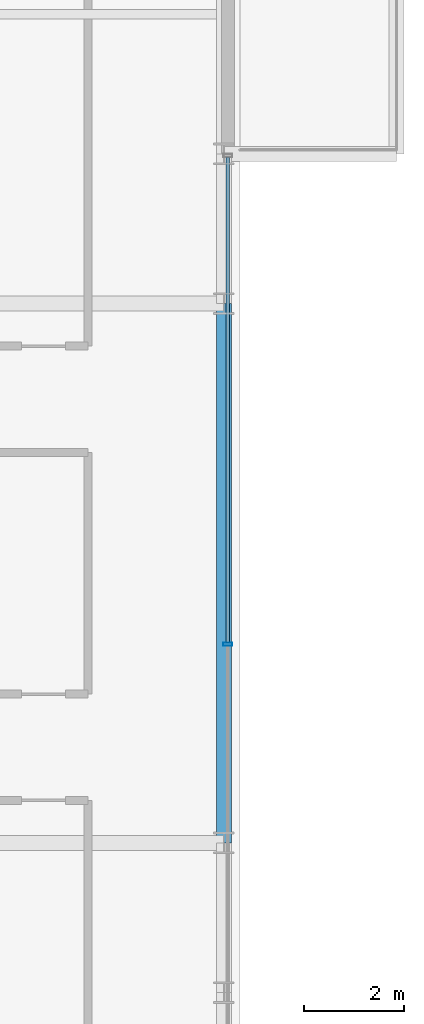
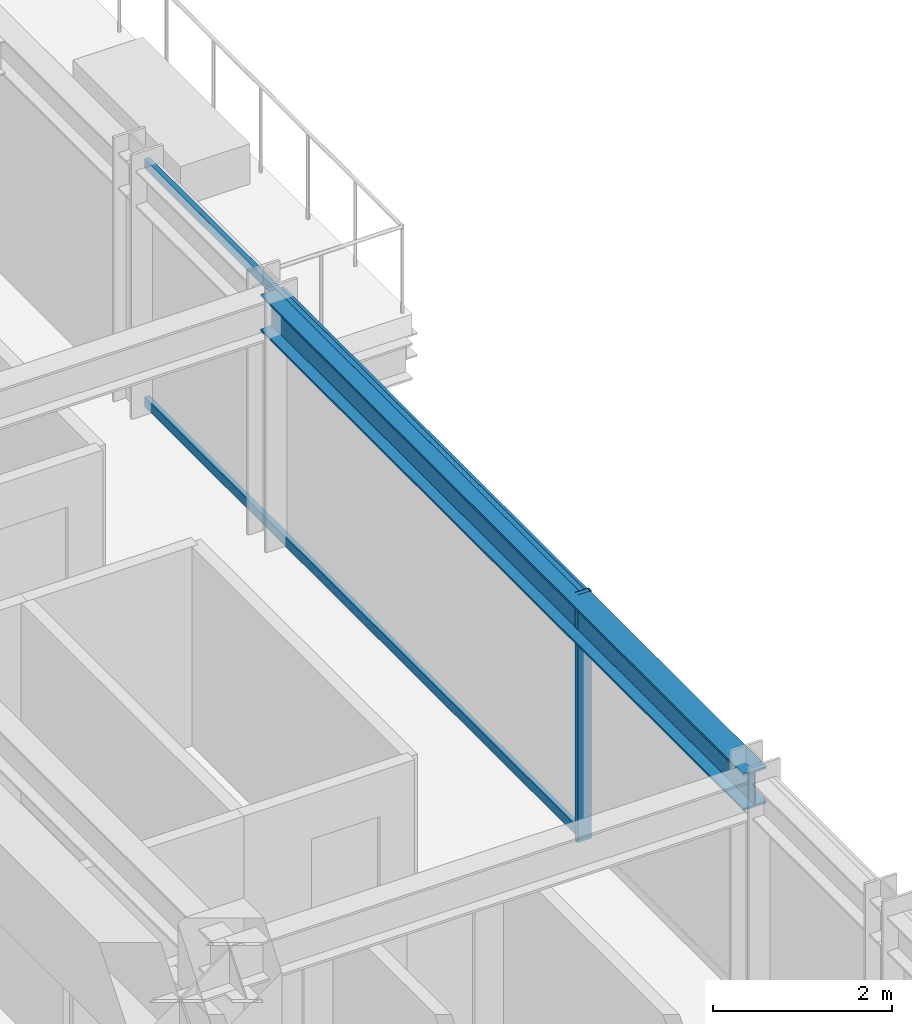
# One storey, part 16 of 33: 3 members, 1 beam, 1 element without a shape of its own.
"""IFC4 building model written with IfcOpenShell, lengths in metres."""

from ifc_helpers import new_model, si_unit, direction, frame, origin, origin_2d, place, context, subcontext, project, spatial, hollow_rectangle, i_section, extrude, source, transform, mapped, material, material_profile, profile_set, type_object, element, aggregate, save


model = new_model("IFC4")

# Units and contexts
model_context = context("Model", 3, precision=1e-05, world=origin(), true_north=direction((0.0, 1.0)))
body_context = subcontext(model_context, "Body", "Model", "MODEL_VIEW")
ifc_project = project(units=[si_unit("LENGTHUNIT", "METRE"), si_unit("AREAUNIT", "SQUARE_METRE"), si_unit("VOLUMEUNIT", "CUBIC_METRE"), si_unit("PLANEANGLEUNIT", "RADIAN"), si_unit("MASSUNIT", "GRAM", prefix="KILO")], contexts=[model_context])

# Site, building, storey
site_placement = place(None, origin())
site = spatial("IfcSite", under=ifc_project, at=site_placement, CompositionType="ELEMENT")
building_placement = place(site_placement, origin())
building = spatial("IfcBuilding", under=site, at=building_placement, Name="Nahalor Promenade Grand Hotel", CompositionType="ELEMENT")
storey_placement = place(building_placement, frame((0.0, 0.0, 132.10009765625)))
storey = spatial("IfcBuildingStorey", under=building, at=storey_placement, Name="L33", CompositionType="ELEMENT", Elevation=132.10009765625)

# Beam
ifc_material_1 = material(Name="Steel S355JR", Category="steel")
ifc_material_profile_1 = material_profile(ifc_material_1, i_section(OverallWidth=0.3, OverallDepth=0.5, WebThickness=0.0145, FlangeThickness=0.028, at=origin_2d()), Name="HEB 500")
ifc_profile_set_1 = profile_set([ifc_material_profile_1], Name="Steel S355JR")
beam_type = type_object("IfcBeamType", Name="Beam-Spandrel-HEB500", PredefinedType="SPANDREL", material=ifc_profile_set_1)
shared_shape_1 = source(origin(), body_context, "Body", "SweptSolid", [
    extrude(i_section(OverallWidth=0.3, OverallDepth=0.5, WebThickness=0.0145, FlangeThickness=0.028, at=origin_2d()), origin(), (0.0, 0.0, 1.0), 10.7998046875),
])
beam_placement = place(storey_placement, frame((23.780029296875, -5.39990234375, 3.1298828125), z_axis=(0.0, 1.0, 0.0), x_axis=(-1.0, 0.0, 0.0)))
element("IfcBeam", 1, at=beam_placement, inside=storey, type_object=beam_type, Name="BM-L33-SP-E-2", PredefinedType="SPANDREL", context=body_context, shape_type="MappedRepresentation", body=[
    mapped(shared_shape_1, transform((0.0, 0.0, 0.0), scale=1.0)),
])

# Curtain wall, members
ifc_material_2 = material(Name="Anodised Bronze Aluminium EN AW-6063 T6", Category="aluminium")
curtain_wall_type = type_object("IfcCurtainWallType", Name="CW2 Typical Hotel Flush Bronze Unitised Curtain Wall", PredefinedType="USERDEFINED", material=ifc_material_2)
curtain_wall_placement = place(storey_placement, origin())
curtain_wall = element("IfcCurtainWall", 2, at=curtain_wall_placement, inside=storey, type_object=curtain_wall_type, Name="L33 Curtain Wall CW-L33-E-1", ObjectType="UNITISED_CURTAIN_WALL", PredefinedType="USERDEFINED")
ifc_material_profile_2 = material_profile(ifc_material_2, hollow_rectangle(XDim=0.065, YDim=0.18, WallThickness=0.004, at=origin_2d()), Name="CWM 65x180x4")
ifc_profile_set_2 = profile_set([ifc_material_profile_2], Name="Anodised Bronze Aluminium EN AW-6063 T6")
member_type_1 = type_object("IfcMemberType", Name="CWM2 Typical Bronze Mullion 65x180", PredefinedType="MULLION", material=ifc_profile_set_2)
shared_shape_2 = source(origin(), body_context, "Body", "SweptSolid", [
    extrude(hollow_rectangle(XDim=0.065, YDim=0.18, WallThickness=0.004, at=origin_2d()), origin(), (0.0, 0.0, 1.0), 3.3798828125),
])
member_1_placement = place(storey_placement, frame((23.860107421875, -1.419921875, 0.0), z_axis=(0.0, 0.0, 1.0), x_axis=(0.0, 1.0, 0.0)))
member_1 = element("IfcMember", 3, at=member_1_placement, type_object=member_type_1, Name="CW-L33-E-1 Mullion 2", PredefinedType="MULLION", context=body_context, shape_type="MappedRepresentation", body=[
    mapped(shared_shape_2, transform((0.0, 0.0, 0.0), scale=1.0)),
])
ifc_material_profile_3 = material_profile(ifc_material_2, hollow_rectangle(XDim=0.065, YDim=0.13, WallThickness=0.004, at=origin_2d()), Name="CWT 65x130x4")
ifc_profile_set_3 = profile_set([ifc_material_profile_3], Name="Anodised Bronze Aluminium EN AW-6063 T6")
member_type_2 = type_object("IfcMemberType", Name="CWT2 Typical Bronze Transom 65x130", PredefinedType="USERDEFINED", material=ifc_profile_set_3)
shared_shape_3 = source(origin(), body_context, "Body", "SweptSolid", [
    extrude(hollow_rectangle(XDim=0.065, YDim=0.13, WallThickness=0.004, at=origin_2d()), origin(), (0.0, 0.0, 1.0), 9.722412109375),
])
member_2_placement = place(storey_placement, frame((23.860107421875, -1.387451171875, 0.06494140625), z_axis=(0.0, 1.0, 0.0), x_axis=(-1.0, 0.0, 0.0)))
member_2 = element("IfcMember", 4, at=member_2_placement, type_object=member_type_2, Name="CW-L33-E-1 Transom 2-0", ObjectType="TRANSOM", PredefinedType="USERDEFINED", context=body_context, shape_type="MappedRepresentation", body=[
    mapped(shared_shape_3, transform((0.0, 0.0, 0.0), scale=1.0)),
])
member_3_placement = place(storey_placement, frame((23.860107421875, -1.387451171875, 3.31494140625), z_axis=(0.0, 1.0, 0.0), x_axis=(-1.0, 0.0, 0.0)))
member_3 = element("IfcMember", 5, at=member_3_placement, type_object=member_type_2, Name="CW-L33-E-1 Transom 2-1", ObjectType="TRANSOM", PredefinedType="USERDEFINED", context=body_context, shape_type="MappedRepresentation", body=[
    mapped(shared_shape_3, transform((0.0, 0.0, 0.0), scale=1.0)),
])
aggregate(curtain_wall, [member_1, member_2, member_3])

save(model, "model.ifc")
